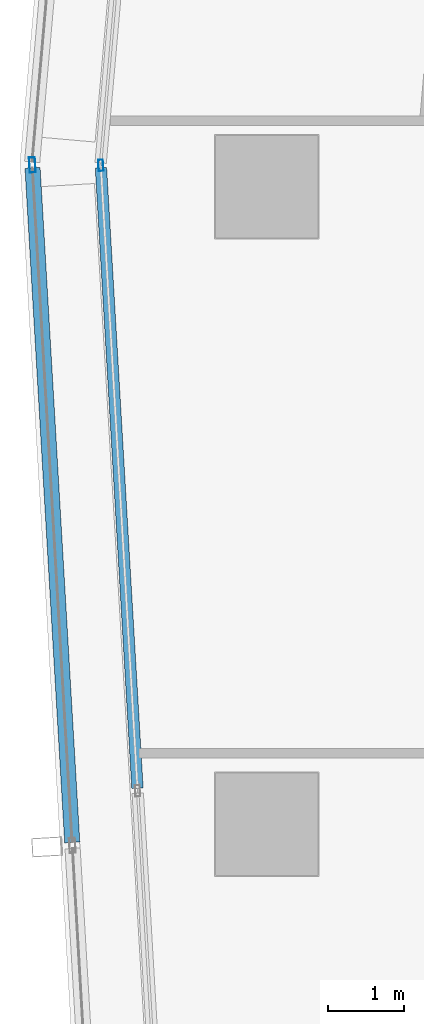
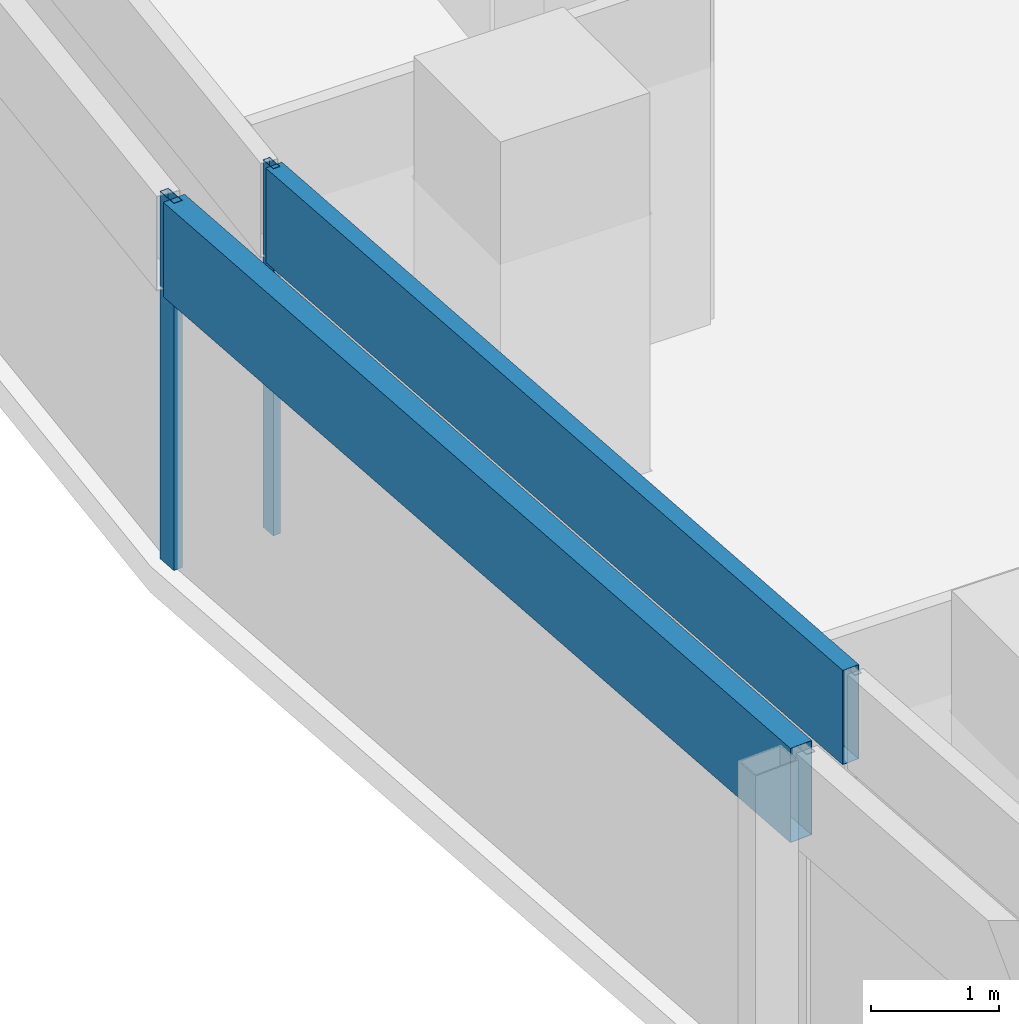
# One storey, part 9 of 38: 4 members, 2 elements without a shape of their own.
"""IFC4 building model written with IfcOpenShell, lengths in metres."""

from ifc_helpers import new_model, si_unit, direction, frame, origin, origin_2d, place, context, subcontext, project, spatial, hollow_rectangle, extrude, material, material_profile, profile_set, type_object, element, aggregate, save


model = new_model("IFC4")

# Units and contexts
model_context = context("Model", 3, precision=1e-05, world=origin(), true_north=direction((0.0, 1.0)))
body_context = subcontext(model_context, "Body", "Model", "MODEL_VIEW")
ifc_project = project(units=[si_unit("LENGTHUNIT", "METRE"), si_unit("AREAUNIT", "SQUARE_METRE"), si_unit("VOLUMEUNIT", "CUBIC_METRE"), si_unit("PLANEANGLEUNIT", "RADIAN"), si_unit("MASSUNIT", "GRAM", prefix="KILO")], contexts=[model_context])

# Site, building, storey
site_placement = place(None, origin())
site = spatial("IfcSite", under=ifc_project, at=site_placement, CompositionType="ELEMENT")
building_placement = place(site_placement, origin())
building = spatial("IfcBuilding", under=site, at=building_placement, Name="Rekha Terrace Tower", CompositionType="ELEMENT")
storey_placement = place(building_placement, frame((0.0, 0.0, 198.949951171875)))
storey = spatial("IfcBuildingStorey", under=building, at=storey_placement, Name="L50", CompositionType="ELEMENT", Elevation=198.949951171875)

# Curtain wall, members
ifc_material_1 = material(Name="Aluminium framing", Category="aluminium")
curtain_wall_type_1 = type_object("IfcCurtainWallType", Name="CW1 double skin inner glazing", PredefinedType="USERDEFINED", material=ifc_material_1)
curtain_wall_1_placement = place(storey_placement, origin())
curtain_wall_1 = element("IfcCurtainWall", 1, at=curtain_wall_1_placement, inside=storey, type_object=curtain_wall_type_1, Name="CW1 double skin inner glazing", ObjectType="DOUBLE SKIN INNER GLAZING", PredefinedType="USERDEFINED")
ifc_material_2 = material(Name="Aluminium mullion section", Category="aluminium")
ifc_material_profile_1 = material_profile(ifc_material_2, hollow_rectangle(XDim=0.06494140625, YDim=0.14990234375, WallThickness=0.00390625, at=origin_2d()), Name="AL RHS 65x150")
ifc_profile_set_1 = profile_set([ifc_material_profile_1], Name="Aluminium mullion section")
member_type_1 = type_object("IfcMemberType", Name="CW1 mullion RHS 65 x 150", PredefinedType="MULLION", material=ifc_profile_set_1)
member_1_placement = place(storey_placement, frame((6.214599609375, 42.281982421875, 0.0), z_axis=(0.0, 0.0, 1.0), x_axis=(0.998271839269, 0.058765082516, 0.0)))
member_1 = element("IfcMember", 2, at=member_1_placement, type_object=member_type_1, Name="CW1 mullion 1", PredefinedType="MULLION", context=body_context, shape_type="SweptSolid", body=[
    extrude(hollow_rectangle(XDim=0.06494140625, YDim=0.14990234375, WallThickness=0.00390625, at=origin_2d()), origin(), (0.0, 0.0, 1.0), 3.5),
])
ifc_material_3 = material(Name="Insulated aluminium spandrel box", Category="aluminium")
ifc_material_profile_2 = material_profile(ifc_material_3, hollow_rectangle(XDim=0.14990234375, YDim=0.89990234375, WallThickness=0.0029296875, at=origin_2d()), Name="AL SPANDREL BOX 150x900")
ifc_profile_set_2 = profile_set([ifc_material_profile_2], Name="Insulated aluminium spandrel box")
member_type_2 = type_object("IfcMemberType", Name="CW1 spandrel transom 150 x 900", PredefinedType="USERDEFINED", material=ifc_profile_set_2)
member_2_placement = place(storey_placement, frame((6.216552734375, 42.24951171875, 3.050048828125), z_axis=(0.058777934282, -0.998271082643, 0.0), x_axis=(0.998271082643, 0.058777934282, 0.0)))
member_2 = element("IfcMember", 3, at=member_2_placement, type_object=member_type_2, Name="CW1 spandrel transom 1", ObjectType="TRANSOM", PredefinedType="USERDEFINED", context=body_context, shape_type="SweptSolid", body=[
    extrude(hollow_rectangle(XDim=0.14990234375, YDim=0.89990234375, WallThickness=0.0029296875, at=origin_2d()), origin(), (0.0, 0.0, 1.0), 8.19091796875),
])
aggregate(curtain_wall_1, [member_1, member_2])

curtain_wall_type_2 = type_object("IfcCurtainWallType", Name="CW2 double skin outer glazing", PredefinedType="USERDEFINED", material=ifc_material_1)
curtain_wall_2_placement = place(storey_placement, origin())
curtain_wall_2 = element("IfcCurtainWall", 4, at=curtain_wall_2_placement, inside=storey, type_object=curtain_wall_type_2, Name="CW2 double skin outer glazing", ObjectType="DOUBLE SKIN OUTER GLAZING", PredefinedType="USERDEFINED")
ifc_material_profile_3 = material_profile(ifc_material_2, hollow_rectangle(XDim=0.080078125, YDim=0.199951171875, WallThickness=0.00390625, at=origin_2d()), Name="AL RHS 80x200")
ifc_profile_set_3 = profile_set([ifc_material_profile_3], Name="Aluminium mullion section")
member_type_3 = type_object("IfcMemberType", Name="CW2 mullion RHS 80 x 200", PredefinedType="MULLION", material=ifc_profile_set_3)
member_3_placement = place(storey_placement, frame((5.312744140625, 42.287841796875, 0.0), z_axis=(0.0, 0.0, 1.0), x_axis=(0.99827183927, 0.058765082499, 0.0)))
member_3 = element("IfcMember", 5, at=member_3_placement, type_object=member_type_3, Name="CW2 mullion 1", PredefinedType="MULLION", context=body_context, shape_type="SweptSolid", body=[
    extrude(hollow_rectangle(XDim=0.080078125, YDim=0.199951171875, WallThickness=0.00390625, at=origin_2d()), origin(), (0.0, 0.0, 1.0), 3.5),
])
ifc_material_profile_4 = material_profile(ifc_material_3, hollow_rectangle(XDim=0.199951171875, YDim=0.89990234375, WallThickness=0.0029296875, at=origin_2d()), Name="AL SPANDREL BOX 200x900")
ifc_profile_set_4 = profile_set([ifc_material_profile_4], Name="Insulated aluminium spandrel box")
member_type_4 = type_object("IfcMemberType", Name="CW2 spandrel transom 200 x 900", PredefinedType="USERDEFINED", material=ifc_profile_set_4)
member_4_placement = place(storey_placement, frame((5.315185546875, 42.247802734375, 3.050048828125), z_axis=(0.058762207171, -0.998272008527, 0.0), x_axis=(0.998272008527, 0.058762207171, 0.0)))
member_4 = element("IfcMember", 6, at=member_4_placement, type_object=member_type_4, Name="CW2 spandrel transom 1", ObjectType="TRANSOM", PredefinedType="USERDEFINED", context=body_context, shape_type="SweptSolid", body=[
    extrude(hollow_rectangle(XDim=0.199951171875, YDim=0.89990234375, WallThickness=0.0029296875, at=origin_2d()), origin(), (0.0, 0.0, 1.0), 8.903564453125),
])
aggregate(curtain_wall_2, [member_3, member_4])

save(model, "model.ifc")
